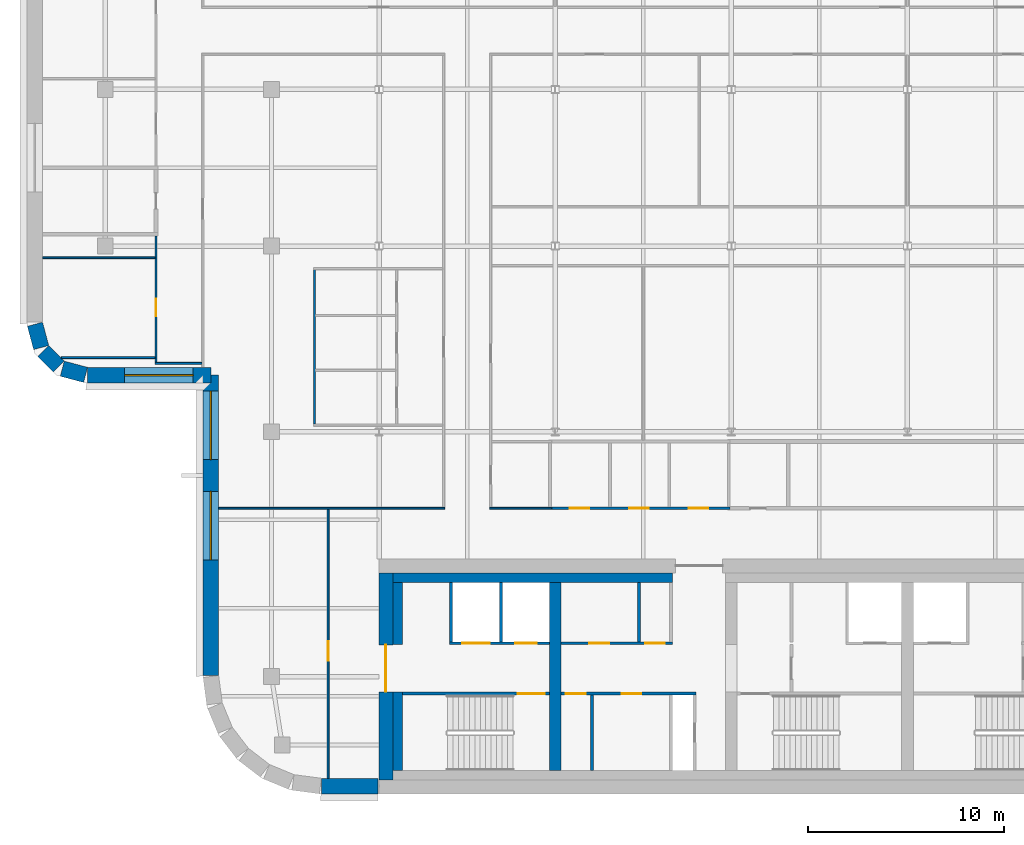
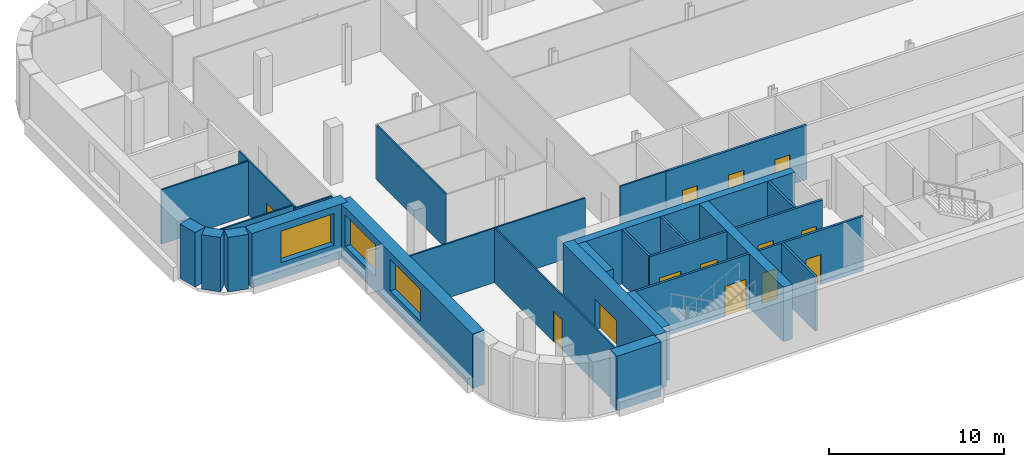
# One storey, part 7 of 16: 28 walls, 13 doors, 3 windows, 16 openings.
"""IFC4 building model written with IfcOpenShell, lengths in metres."""

from ifc_helpers import new_model, si_unit, direction, frame, frame_2d, origin, place, context, subcontext, project, spatial, rectangle, extrude, material, layer, layer_set, type_object, element, fill, save


model = new_model("IFC4")

# Units and contexts
model_context = context("Model", 3, precision=1e-05, world=origin(), true_north=direction((0.0, 1.0)))
body_context = subcontext(model_context, "Body", "Model", "MODEL_VIEW")
ifc_project = project(units=[si_unit("LENGTHUNIT", "METRE"), si_unit("AREAUNIT", "SQUARE_METRE"), si_unit("VOLUMEUNIT", "CUBIC_METRE"), si_unit("PLANEANGLEUNIT", "RADIAN"), si_unit("MASSUNIT", "GRAM", prefix="KILO")], contexts=[model_context])

# Site, building, storey
site_placement = place(None, origin())
site = spatial("IfcSite", under=ifc_project, at=site_placement, CompositionType="ELEMENT")
building_placement = place(site_placement, origin())
building = spatial("IfcBuilding", under=site, at=building_placement, Name="Zellij Exchange Tower", CompositionType="ELEMENT")
storey_placement = place(building_placement, frame((0.0, 0.0, 236.5)))
storey = spatial("IfcBuildingStorey", under=building, at=storey_placement, Name="L55", CompositionType="ELEMENT", Elevation=236.5)

# Walls
ifc_material_1 = material(Name="Concrete C50/60", Category="concrete")
ifc_layer_1 = layer(ifc_material_1, 0.60009765625)
ifc_layer_set_1 = layer_set([ifc_layer_1], Name="Concrete C50/60")
wall_type_1 = type_object("IfcWallType", Name="CORE-CW 600 C50/60", PredefinedType="SHEAR", material=ifc_layer_set_1)
wall_1_placement = place(storey_placement, frame((-18.0, -12.800048828125, 0.0), z_axis=(0.0, 0.0, 1.0), x_axis=(0.0, 1.0, 0.0)))
element("IfcWall", 1, at=wall_1_placement, inside=storey, type_object=wall_type_1, Name="Core cross wall x -18 L55", PredefinedType="SHEAR", context=body_context, shape_type="SweptSolid", body=[
    extrude(rectangle(XDim=9.60009765625, YDim=0.60009765625, at=frame_2d((4.800048828125, 0.0))), origin(), (0.0, 0.0, 1.0), 3.800048828125),
])
ifc_material_2 = material(Name="Concrete C30/37", Category="concrete")
ifc_layer_2 = layer(ifc_material_2, 0.5)
ifc_layer_set_2 = layer_set([ifc_layer_2], Name="Concrete C30/37")
wall_type_2 = type_object("IfcWallType", Name="CORE-LW 500 C30/37", PredefinedType="SHEAR", material=ifc_layer_set_2)
wall_2_placement = place(storey_placement, frame((-26.300048828125, -2.949951171875, 0.0), z_axis=(0.0, 0.0, 1.0), x_axis=(1.0, 0.0, 0.0)))
element("IfcWall", 2, at=wall_2_placement, inside=storey, type_object=wall_type_2, Name="Core wall lining front.0 L55", PredefinedType="SHEAR", context=body_context, shape_type="SweptSolid", body=[
    extrude(rectangle(XDim=14.300048828125, YDim=0.5, at=frame_2d((7.14990234375, 0.0))), origin(), (0.0, 0.0, 1.0), 3.800048828125),
])
wall_3_placement = place(storey_placement, frame((-26.050048828125, -12.800048828125, 0.0), z_axis=(0.0, 0.0, 1.0), x_axis=(0.0, 1.0, 0.0)))
element("IfcWall", 3, at=wall_3_placement, inside=storey, type_object=wall_type_2, Name="Core wall lining end w.0 L55", PredefinedType="SHEAR", context=body_context, shape_type="SweptSolid", body=[
    extrude(rectangle(XDim=4.0, YDim=0.5, at=frame_2d((2.0, 0.0))), origin(), (0.0, 0.0, 1.0), 3.800048828125),
])
wall_4_placement = place(storey_placement, frame((-26.050048828125, -6.375, 0.0), z_axis=(0.0, 0.0, 1.0), x_axis=(0.0, 1.0, 0.0)))
element("IfcWall", 4, at=wall_4_placement, inside=storey, type_object=wall_type_2, Name="Core wall lining end w.1 L55", PredefinedType="SHEAR", context=body_context, shape_type="SweptSolid", body=[
    extrude(rectangle(XDim=3.175048828125, YDim=0.5, at=frame_2d((1.58740234375, 0.0))), origin(), (0.0, 0.0, 1.0), 3.800048828125),
])
ifc_material_3 = material(Name="Gypsum board partition")
ifc_layer_3 = layer(ifc_material_3, 0.14990234375)
ifc_layer_set_3 = layer_set([ifc_layer_3], Name="Gypsum board partition")
wall_type_3 = type_object("IfcWallType", Name="CORE-PW 150 Lift lobby wall", PredefinedType="PARTITIONING", material=ifc_layer_set_3)
wall_5_placement = place(storey_placement, frame((-13.72509765625, -6.22509765625, 0.0), z_axis=(0.0, 0.0, 1.0), x_axis=(0.0, 1.0, 0.0)))
element("IfcWall", 5, at=wall_5_placement, inside=storey, type_object=wall_type_3, Name="Lift lobby wall L55", PredefinedType="PARTITIONING", context=body_context, shape_type="SweptSolid", body=[
    extrude(rectangle(XDim=3.025146484375, YDim=0.14990234375, at=frame_2d((1.5126953125, 0.0))), origin(), (0.0, 0.0, 1.0), 3.800048828125),
])
wall_6_placement = place(storey_placement, frame((-16.125, -12.800048828125, 0.0), z_axis=(0.0, 0.0, 1.0), x_axis=(0.0, 1.0, 0.0)))
element("IfcWall", 6, at=wall_6_placement, inside=storey, type_object=wall_type_3, Name="Lift lobby wall L55", PredefinedType="PARTITIONING", context=body_context, shape_type="SweptSolid", body=[
    extrude(rectangle(XDim=3.85009765625, YDim=0.14990234375, at=frame_2d((1.925048828125, 0.0))), origin(), (0.0, 0.0, 1.0), 3.800048828125),
])

# Wall, openings, doors
wall_7_placement = place(storey_placement, frame((-17.699951171875, -6.300048828125, 0.0), z_axis=(0.0, 0.0, 1.0), x_axis=(1.0, 0.0, 0.0)))
wall_7 = element("IfcWall", 7, at=wall_7_placement, inside=storey, type_object=wall_type_3, Name="Lift lobby wall L55", PredefinedType="PARTITIONING", context=body_context, shape_type="SweptSolid", body=[
    extrude(rectangle(XDim=5.699951171875, YDim=0.14990234375, at=frame_2d((2.85009765625, 0.0))), origin(), (0.0, 0.0, 1.0), 3.800048828125),
])
opening_1_placement = place(wall_7_placement, frame((1.449951171875, 0.0, 0.0)))
opening_1 = element("IfcOpeningElement", 8, at=opening_1_placement, cuts=wall_7, Name="Opening CA-29.06", PredefinedType="OPENING", context=body_context, shape_type="SweptSolid", body=[
    extrude(rectangle(XDim=1.0, YDim=2.10009765625, at=frame_2d((0.5, 1.050048828125))), frame((0.0, 0.0869140625, 0.0), z_axis=(0.0, -1.0, 0.0), x_axis=(1.0, 0.0, 0.0)), (0.0, 0.0, 1.0), 0.173828125),
])
opening_2_placement = place(wall_7_placement, frame((4.300048828125, 0.0, 0.0)))
opening_2 = element("IfcOpeningElement", 9, at=opening_2_placement, cuts=wall_7, Name="Opening CA-29.08", PredefinedType="OPENING", context=body_context, shape_type="SweptSolid", body=[
    extrude(rectangle(XDim=1.0, YDim=2.10009765625, at=frame_2d((0.5, 1.050048828125))), frame((0.0, 0.0869140625, 0.0), z_axis=(0.0, -1.0, 0.0), x_axis=(1.0, 0.0, 0.0)), (0.0, 0.0, 1.0), 0.173828125),
])
ifc_material_4 = material(Name="Hollow metal fire door")
door_type_1 = type_object("IfcDoorType", Name="CORE-D CD Core room door 1000x2100 1 HR", OperationType="NOTDEFINED", PredefinedType="DOOR", material=ifc_material_4)
door_1_placement = place(opening_1_placement, origin())
door_1 = element("IfcDoor", 10, at=door_1_placement, inside=storey, type_object=door_type_1, Name="Core room door CA-29.06", OperationType="SINGLE_SWING_LEFT", OverallHeight=2.10009765625, OverallWidth=1.0, PredefinedType="DOOR", context=body_context, shape_type="SweptSolid", body=[
    extrude(rectangle(XDim=1.0, YDim=2.10009765625, at=frame_2d((0.5, 1.050048828125))), frame((0.0, 0.02490234375, 0.0), z_axis=(0.0, -1.0, 0.0), x_axis=(1.0, 0.0, 0.0)), (0.0, 0.0, 1.0), 0.050048828125),
])
fill(opening_1, door_1)
door_2_placement = place(opening_2_placement, origin())
door_2 = element("IfcDoor", 11, at=door_2_placement, inside=storey, type_object=door_type_1, Name="Core room door CA-29.08", OperationType="SINGLE_SWING_RIGHT", OverallHeight=2.10009765625, OverallWidth=1.0, PredefinedType="DOOR", context=body_context, shape_type="SweptSolid", body=[
    extrude(rectangle(XDim=1.0, YDim=2.10009765625, at=frame_2d((0.5, 1.050048828125))), frame((0.0, 0.02490234375, 0.0), z_axis=(0.0, -1.0, 0.0), x_axis=(1.0, 0.0, 0.0)), (0.0, 0.0, 1.0), 0.050048828125),
])
fill(opening_2, door_2)

wall_8_placement = place(storey_placement, frame((-17.699951171875, -8.875, 0.0), z_axis=(0.0, 0.0, 1.0), x_axis=(1.0, 0.0, 0.0)))
wall_8 = element("IfcWall", 12, at=wall_8_placement, inside=storey, type_object=wall_type_3, Name="Lift lobby wall L55", PredefinedType="PARTITIONING", context=body_context, shape_type="SweptSolid", body=[
    extrude(rectangle(XDim=6.89990234375, YDim=0.14990234375, at=frame_2d((3.449951171875, 0.0))), origin(), (0.0, 0.0, 1.0), 3.800048828125),
])
opening_3_placement = place(wall_8_placement, frame((0.25, 0.0, 0.0)))
opening_3 = element("IfcOpeningElement", 13, at=opening_3_placement, cuts=wall_8, Name="Opening CA-29.05", PredefinedType="OPENING", context=body_context, shape_type="SweptSolid", body=[
    extrude(rectangle(XDim=1.0, YDim=2.10009765625, at=frame_2d((0.5, 1.050048828125))), frame((0.0, 0.0869140625, 0.0), z_axis=(0.0, -1.0, 0.0), x_axis=(1.0, 0.0, 0.0)), (0.0, 0.0, 1.0), 0.173828125),
])
opening_4_placement = place(wall_8_placement, frame((3.10009765625, 0.0, 0.0)))
opening_4 = element("IfcOpeningElement", 14, at=opening_4_placement, cuts=wall_8, Name="Opening CA-29.07", PredefinedType="OPENING", context=body_context, shape_type="SweptSolid", body=[
    extrude(rectangle(XDim=1.0, YDim=2.10009765625, at=frame_2d((0.5, 1.050048828125))), frame((0.0, 0.0869140625, 0.0), z_axis=(0.0, -1.0, 0.0), x_axis=(1.0, 0.0, 0.0)), (0.0, 0.0, 1.0), 0.173828125),
])
door_3_placement = place(opening_4_placement, origin())
door_3 = element("IfcDoor", 15, at=door_3_placement, inside=storey, type_object=door_type_1, Name="Core room door CA-29.07", OperationType="SINGLE_SWING_LEFT", OverallHeight=2.10009765625, OverallWidth=1.0, PredefinedType="DOOR", context=body_context, shape_type="SweptSolid", body=[
    extrude(rectangle(XDim=1.0, YDim=2.10009765625, at=frame_2d((0.5, 1.050048828125))), frame((0.0, 0.02490234375, 0.0), z_axis=(0.0, -1.0, 0.0), x_axis=(1.0, 0.0, 0.0)), (0.0, 0.0, 1.0), 0.050048828125),
])
fill(opening_4, door_3)
door_type_2 = type_object("IfcDoorType", Name="CORE-D CDA Core room door 1000x2100 1.5 HR", OperationType="NOTDEFINED", PredefinedType="DOOR", material=ifc_material_4)
door_4_placement = place(opening_3_placement, origin())
door_4 = element("IfcDoor", 16, at=door_4_placement, inside=storey, type_object=door_type_2, Name="Core room door CA-29.05", OperationType="SINGLE_SWING_RIGHT", OverallHeight=2.10009765625, OverallWidth=1.0, PredefinedType="DOOR", context=body_context, shape_type="SweptSolid", body=[
    extrude(rectangle(XDim=1.0, YDim=2.10009765625, at=frame_2d((0.5, 1.050048828125))), frame((0.0, 0.02490234375, 0.0), z_axis=(0.0, -1.0, 0.0), x_axis=(1.0, 0.0, 0.0)), (0.0, 0.0, 1.0), 0.050048828125),
])
fill(opening_3, door_4)

# Walls
ifc_material_5 = material(Name="Gypsum shaft wall system")
ifc_layer_4 = layer(ifc_material_5, 0.14990234375)
ifc_layer_set_4 = layer_set([ifc_layer_4], Name="Gypsum shaft wall system")
wall_type_4 = type_object("IfcWallType", Name="CORE-PW 150 Lift shaft wall", PredefinedType="PARTITIONING", material=ifc_layer_set_4)
for number, where, z_axis, x_axis, name in (
    (17, (-20.77490234375, -6.22509765625, 0.0), (0.0, 0.0, 1.0), (0.0, 1.0, 0.0), "Lift shaft wall L55"),
    (18, (-23.324951171875, -6.22509765625, 0.0), (0.0, 0.0, 1.0), (0.0, 1.0, 0.0), "Lift shaft wall L55"),
):
    element("IfcWall", number, at=place(storey_placement, frame(where, z_axis=z_axis, x_axis=x_axis)), inside=storey, type_object=wall_type_4, Name=name, PredefinedType="PARTITIONING", context=body_context, shape_type="SweptSolid", body=[
        extrude(rectangle(XDim=3.025146484375, YDim=0.14990234375, at=frame_2d((1.5126953125, 0.0))), origin(), (0.0, 0.0, 1.0), 3.800048828125),
    ])

# Wall, openings, doors
wall_9_placement = place(storey_placement, frame((-23.39990234375, -6.300048828125, 0.0), z_axis=(0.0, 0.0, 1.0), x_axis=(1.0, 0.0, 0.0)))
wall_9 = element("IfcWall", 19, at=wall_9_placement, inside=storey, type_object=wall_type_4, Name="Lift shaft wall L55", PredefinedType="PARTITIONING", context=body_context, shape_type="SweptSolid", body=[
    extrude(rectangle(XDim=5.099853515625, YDim=0.14990234375, at=frame_2d((2.5498046875, 0.0))), origin(), (0.0, 0.0, 1.0), 3.800048828125),
])
opening_5_placement = place(wall_9_placement, frame((0.64990234375, 0.0, 0.0)))
opening_5 = element("IfcOpeningElement", 20, at=opening_5_placement, cuts=wall_9, Name="Opening CA-29.02", PredefinedType="OPENING", context=body_context, shape_type="SweptSolid", body=[
    extrude(rectangle(XDim=1.39990234375, YDim=2.10009765625, at=frame_2d((0.699951171875, 1.050048828125))), frame((0.0, 0.0869140625, 0.0), z_axis=(0.0, -1.0, 0.0), x_axis=(1.0, 0.0, 0.0)), (0.0, 0.0, 1.0), 0.173828125),
])
opening_6_placement = place(wall_9_placement, frame((3.35009765625, 0.0, 0.0)))
opening_6 = element("IfcOpeningElement", 21, at=opening_6_placement, cuts=wall_9, Name="Opening CA-29.03", PredefinedType="OPENING", context=body_context, shape_type="SweptSolid", body=[
    extrude(rectangle(XDim=1.10009765625, YDim=2.10009765625, at=frame_2d((0.550048828125, 1.050048828125))), frame((0.0, 0.0869140625, 0.0), z_axis=(0.0, -1.0, 0.0), x_axis=(1.0, 0.0, 0.0)), (0.0, 0.0, 1.0), 0.173828125),
])
door_type_3 = type_object("IfcDoorType", Name="CORE-D LD Lift landing door 1100x2100 1.5 HR", OperationType="NOTDEFINED", PredefinedType="DOOR", material=ifc_material_4)
door_5_placement = place(opening_6_placement, origin())
door_5 = element("IfcDoor", 22, at=door_5_placement, inside=storey, type_object=door_type_3, Name="Lift landing door CA-29.03", OperationType="SLIDING_TO_LEFT", OverallHeight=2.10009765625, OverallWidth=1.10009765625, PredefinedType="DOOR", context=body_context, shape_type="SweptSolid", body=[
    extrude(rectangle(XDim=1.10009765625, YDim=2.10009765625, at=frame_2d((0.550048828125, 1.050048828125))), frame((0.0, 0.02490234375, 0.0), z_axis=(0.0, -1.0, 0.0), x_axis=(1.0, 0.0, 0.0)), (0.0, 0.0, 1.0), 0.050048828125),
])
fill(opening_6, door_5)
door_type_4 = type_object("IfcDoorType", Name="CORE-D LD2 Service lift landing door 1400x2100 1.5 HR", OperationType="NOTDEFINED", PredefinedType="DOOR", material=ifc_material_4)
door_6_placement = place(opening_5_placement, origin())
door_6 = element("IfcDoor", 23, at=door_6_placement, inside=storey, type_object=door_type_4, Name="Service lift landing door CA-29.02", OperationType="SLIDING_TO_RIGHT", OverallHeight=2.10009765625, OverallWidth=1.39990234375, PredefinedType="DOOR", context=body_context, shape_type="SweptSolid", body=[
    extrude(rectangle(XDim=1.39990234375, YDim=2.10009765625, at=frame_2d((0.699951171875, 1.050048828125))), frame((0.0, 0.02490234375, 0.0), z_axis=(0.0, -1.0, 0.0), x_axis=(1.0, 0.0, 0.0)), (0.0, 0.0, 1.0), 0.050048828125),
])
fill(opening_5, door_6)

# Wall, opening, door
ifc_layer_5 = layer(ifc_material_1, 0.699951171875)
ifc_layer_set_5 = layer_set([ifc_layer_5], Name="Concrete C50/60")
wall_type_5 = type_object("IfcWallType", Name="CORE-SW 700 C50/60", PredefinedType="SHEAR", material=ifc_layer_set_5)
wall_10_placement = place(storey_placement, frame((-26.64990234375, -13.300048828125, 0.0), z_axis=(0.0, 0.0, 1.0), x_axis=(0.0, 1.0, 0.0)))
wall_10 = element("IfcWall", 24, at=wall_10_placement, inside=storey, type_object=wall_type_5, Name="Core shear wall end w L55", PredefinedType="SHEAR", context=body_context, shape_type="SweptSolid", body=[
    extrude(rectangle(XDim=10.60009765625, YDim=0.699951171875, at=frame_2d((5.300048828125, 0.0))), origin(), (0.0, 0.0, 1.0), 3.800048828125),
])
opening_7_placement = place(wall_10_placement, frame((4.511962890625, 0.0, 0.0)))
opening_7 = element("IfcOpeningElement", 25, at=opening_7_placement, cuts=wall_10, Name="Opening CA-29.01", PredefinedType="OPENING", context=body_context, shape_type="SweptSolid", body=[
    extrude(rectangle(XDim=2.39990234375, YDim=2.10009765625, at=frame_2d((1.199951171875, 1.050048828125))), frame((0.0, 0.36181640625, 0.0), z_axis=(0.0, -1.0, 0.0), x_axis=(1.0, 0.0, 0.0)), (0.0, 0.0, 1.0), 0.723876953125),
])
door_type_5 = type_object("IfcDoorType", Name="CORE-D CE Core entrance door 2400x2100 20 MIN", OperationType="NOTDEFINED", PredefinedType="DOOR", material=ifc_material_4)
door_7_placement = place(opening_7_placement, origin())
door_7 = element("IfcDoor", 26, at=door_7_placement, inside=storey, type_object=door_type_5, Name="Core entrance door CA-29.01", OperationType="DOUBLE_DOOR_SINGLE_SWING", OverallHeight=2.10009765625, OverallWidth=2.39990234375, PredefinedType="DOOR", context=body_context, shape_type="SweptSolid", body=[
    extrude(rectangle(XDim=2.39990234375, YDim=2.10009765625, at=frame_2d((1.199951171875, 1.050048828125))), frame((0.0, 0.02490234375, 0.0), z_axis=(0.0, -1.0, 0.0), x_axis=(1.0, 0.0, 0.0)), (0.0, 0.0, 1.0), 0.050048828125),
])
fill(opening_7, door_7)

ifc_layer_6 = layer(ifc_material_1, 0.14990234375)
ifc_layer_set_6 = layer_set([ifc_layer_6], Name="Concrete C50/60")
wall_type_6 = type_object("IfcWallType", Name="CORE-SWS 150 C50/60", PredefinedType="SHEAR", material=ifc_layer_set_6)
wall_11_placement = place(storey_placement, frame((-25.800048828125, -8.875, 0.0), z_axis=(0.0, 0.0, 1.0), x_axis=(1.0, 0.0, 0.0)))
wall_11 = element("IfcWall", 27, at=wall_11_placement, inside=storey, type_object=wall_type_6, Name="Stair enclosure wall L55", PredefinedType="SHEAR", context=body_context, shape_type="SweptSolid", body=[
    extrude(rectangle(XDim=7.5, YDim=0.14990234375, at=frame_2d((3.75, 0.0))), origin(), (0.0, 0.0, 1.0), 3.800048828125),
])
opening_8_placement = place(wall_11_placement, frame((5.875, 0.0, 0.0)))
opening_8 = element("IfcOpeningElement", 28, at=opening_8_placement, cuts=wall_11, Name="Opening CA-29.04", PredefinedType="OPENING", context=body_context, shape_type="SweptSolid", body=[
    extrude(rectangle(XDim=1.39990234375, YDim=2.10009765625, at=frame_2d((0.699951171875, 1.050048828125))), frame((0.0, 0.0869140625, 0.0), z_axis=(0.0, -1.0, 0.0), x_axis=(1.0, 0.0, 0.0)), (0.0, 0.0, 1.0), 0.173828125),
])
door_type_6 = type_object("IfcDoorType", Name="CORE-D SD Stair door 1400x2100 1.5 HR", OperationType="NOTDEFINED", PredefinedType="DOOR", material=ifc_material_4)
door_8_placement = place(opening_8_placement, origin())
door_8 = element("IfcDoor", 29, at=door_8_placement, inside=storey, type_object=door_type_6, Name="Stair door CA-29.04", OperationType="DOUBLE_DOOR_SINGLE_SWING", OverallHeight=2.10009765625, OverallWidth=1.39990234375, PredefinedType="DOOR", context=body_context, shape_type="SweptSolid", body=[
    extrude(rectangle(XDim=1.39990234375, YDim=2.10009765625, at=frame_2d((0.699951171875, 1.050048828125))), frame((0.0, 0.02490234375, 0.0), z_axis=(0.0, -1.0, 0.0), x_axis=(1.0, 0.0, 0.0)), (0.0, 0.0, 1.0), 0.050048828125),
])
fill(opening_8, door_8)

# Walls
ifc_material_6 = material(Name="Precast concrete C40/50", Category="concrete")
ifc_layer_7 = layer(ifc_material_6, 0.800048828125)
ifc_layer_set_7 = layer_set([ifc_layer_7], Name="Precast concrete C40/50")
wall_type_7 = type_object("IfcWallType", Name="ENV-EW1 Precast stone-piered wall 800", PredefinedType="SOLIDWALL", material=ifc_layer_set_7)
wall_12_placement = place(storey_placement, frame((-29.947509765625, -13.60009765625, 0.0), z_axis=(0.0, 0.0, 1.0), x_axis=(1.0, 0.0, 0.0)))
element("IfcWall", 30, at=wall_12_placement, inside=storey, type_object=wall_type_7, Name="fac.L55.00a", PredefinedType="SOLIDWALL", context=body_context, shape_type="SweptSolid", body=[
    extrude(rectangle(XDim=2.8974609375, YDim=0.800048828125, at=frame_2d((1.44873046875, 0.0))), origin(), (0.0, 0.0, 1.0), 3.800048828125),
])
wall_13_placement = place(storey_placement, frame((-44.58642578125, 10.001708984375, 0.0), z_axis=(0.0, 0.0, 1.0), x_axis=(0.258943885187, -0.965892366842, 0.0)))
element("IfcWall", 31, at=wall_13_placement, inside=storey, type_object=wall_type_7, Name="fac.L55.22", PredefinedType="SOLIDWALL", context=body_context, shape_type="SweptSolid", body=[
    extrude(rectangle(XDim=1.233154296875, YDim=0.800048828125, at=frame_2d((0.61669921875, 0.0))), origin(), (0.0, 0.0, 1.0), 3.800048828125),
])
wall_14_placement = place(storey_placement, frame((-44.163818359375, 8.63134765625, 0.0), z_axis=(0.0, 0.0, 1.0), x_axis=(0.707106781187, -0.707106781187, 0.0)))
element("IfcWall", 32, at=wall_14_placement, inside=storey, type_object=wall_type_7, Name="fac.L55.23", PredefinedType="SOLIDWALL", context=body_context, shape_type="SweptSolid", body=[
    extrude(rectangle(XDim=1.12451171875, YDim=0.800048828125, at=frame_2d((0.562255859375, 0.0))), origin(), (0.0, 0.0, 1.0), 3.800048828125),
])
wall_15_placement = place(storey_placement, frame((-43.189453125, 7.73291015625, 0.0), z_axis=(0.0, 0.0, 1.0), x_axis=(0.965892366842, -0.258943885187, 0.0)))
element("IfcWall", 33, at=wall_15_placement, inside=storey, type_object=wall_type_7, Name="fac.L55.24", PredefinedType="SOLIDWALL", context=body_context, shape_type="SweptSolid", body=[
    extrude(rectangle(XDim=1.233154296875, YDim=0.800048828125, at=frame_2d((0.61669921875, 0.0))), origin(), (0.0, 0.0, 1.0), 3.800048828125),
])

# Wall, opening, window
wall_16_placement = place(storey_placement, frame((-41.89453125, 7.39990234375, 0.0), z_axis=(0.0, 0.0, 1.0), x_axis=(1.0, 0.0, 0.0)))
wall_16 = element("IfcWall", 34, at=wall_16_placement, inside=storey, type_object=wall_type_7, Name="fac.L55.25", PredefinedType="SOLIDWALL", context=body_context, shape_type="SweptSolid", body=[
    extrude(rectangle(XDim=6.29443359375, YDim=0.800048828125, at=frame_2d((3.147216796875, 0.0))), origin(), (0.0, 0.0, 1.0), 3.800048828125),
])
opening_9_placement = place(wall_16_placement, frame((1.89453125, 0.0, 1.10009765625)))
opening_9 = element("IfcOpeningElement", 35, at=opening_9_placement, cuts=wall_16, Name="Opening FZ4.21", PredefinedType="OPENING", context=body_context, shape_type="SweptSolid", body=[
    extrude(rectangle(XDim=3.5, YDim=2.199951171875, at=frame_2d((1.75, 1.10009765625))), frame((0.0, 0.412109375, 0.0), z_axis=(0.0, -1.0, 0.0), x_axis=(1.0, 0.0, 0.0)), (0.0, 0.0, 1.0), 0.823974609375),
])
ifc_material_7 = material(Name="Aluminium frame with insulating glass", Category="aluminium")
window_type = type_object("IfcWindowType", Name="ENV-W7 Window 3500x2200", PartitioningType="SINGLE_PANEL", PredefinedType="WINDOW", material=ifc_material_7)
window_1_placement = place(opening_9_placement, origin())
window_1 = element("IfcWindow", 36, at=window_1_placement, inside=storey, type_object=window_type, Name="Window FZ4.21", OverallHeight=2.199951171875, OverallWidth=3.5, PartitioningType="SINGLE_PANEL", PredefinedType="WINDOW", context=body_context, shape_type="SweptSolid", body=[
    extrude(rectangle(XDim=3.5, YDim=2.199951171875, at=frame_2d((1.75, 1.10009765625))), frame((0.0, 0.030029296875, 0.0), z_axis=(0.0, -1.0, 0.0), x_axis=(1.0, 0.0, 0.0)), (0.0, 0.0, 1.0), 0.06005859375),
])
fill(opening_9, window_1)

# Wall, openings, windows
wall_17_placement = place(storey_placement, frame((-35.60009765625, 7.39990234375, 0.0), z_axis=(0.0, 0.0, 1.0), x_axis=(0.0, -1.0, 0.0)))
wall_17 = element("IfcWall", 37, at=wall_17_placement, inside=storey, type_object=wall_type_7, Name="fac.L55.26", PredefinedType="SOLIDWALL", context=body_context, shape_type="SweptSolid", body=[
    extrude(rectangle(XDim=15.347412109375, YDim=0.800048828125, at=frame_2d((7.673828125, 0.0))), origin(), (0.0, 0.0, 1.0), 3.800048828125),
])
opening_10_placement = place(wall_17_placement, frame((0.812255859375, 0.0, 1.10009765625)))
opening_10 = element("IfcOpeningElement", 38, at=opening_10_placement, cuts=wall_17, Name="Opening FZ4.22", PredefinedType="OPENING", context=body_context, shape_type="SweptSolid", body=[
    extrude(rectangle(XDim=3.5, YDim=2.199951171875, at=frame_2d((1.75, 1.10009765625))), frame((0.0, 0.412109375, 0.0), z_axis=(0.0, -1.0, 0.0), x_axis=(1.0, 0.0, 0.0)), (0.0, 0.0, 1.0), 0.823974609375),
])
opening_11_placement = place(wall_17_placement, frame((5.93701171875, 0.0, 1.10009765625)))
opening_11 = element("IfcOpeningElement", 39, at=opening_11_placement, cuts=wall_17, Name="Opening FZ4.23", PredefinedType="OPENING", context=body_context, shape_type="SweptSolid", body=[
    extrude(rectangle(XDim=3.5, YDim=2.199951171875, at=frame_2d((1.75, 1.10009765625))), frame((0.0, 0.412109375, 0.0), z_axis=(0.0, -1.0, 0.0), x_axis=(1.0, 0.0, 0.0)), (0.0, 0.0, 1.0), 0.823974609375),
])
window_2_placement = place(opening_10_placement, origin())
window_2 = element("IfcWindow", 40, at=window_2_placement, inside=storey, type_object=window_type, Name="Window FZ4.22", OverallHeight=2.199951171875, OverallWidth=3.5, PartitioningType="SINGLE_PANEL", PredefinedType="WINDOW", context=body_context, shape_type="SweptSolid", body=[
    extrude(rectangle(XDim=3.5, YDim=2.199951171875, at=frame_2d((1.75, 1.10009765625))), frame((0.0, 0.030029296875, 0.0), z_axis=(0.0, -1.0, 0.0), x_axis=(1.0, 0.0, 0.0)), (0.0, 0.0, 1.0), 0.06005859375),
])
fill(opening_10, window_2)
window_3_placement = place(opening_11_placement, origin())
window_3 = element("IfcWindow", 41, at=window_3_placement, inside=storey, type_object=window_type, Name="Window FZ4.23", OverallHeight=2.199951171875, OverallWidth=3.5, PartitioningType="SINGLE_PANEL", PredefinedType="WINDOW", context=body_context, shape_type="SweptSolid", body=[
    extrude(rectangle(XDim=3.5, YDim=2.199951171875, at=frame_2d((1.75, 1.10009765625))), frame((0.0, 0.030029296875, 0.0), z_axis=(0.0, -1.0, 0.0), x_axis=(1.0, 0.0, 0.0)), (0.0, 0.0, 1.0), 0.06005859375),
])
fill(opening_11, window_3)

# Wall, opening, door
ifc_material_8 = material(Name="Gypsum board partition on steel studs", Category="steel")
ifc_layer_8 = layer(ifc_material_8, 0.10009765625)
ifc_layer_set_8 = layer_set([ifc_layer_8], Name="Gypsum board partition on steel studs")
wall_type_8 = type_object("IfcWallType", Name="FIT-PARTITION-100", PredefinedType="PARTITIONING", material=ifc_layer_set_8)
wall_18_placement = place(storey_placement, frame((-29.60009765625, -13.199951171875, 0.0), z_axis=(0.0, 0.0, 1.0), x_axis=(0.0, 1.0, 0.0)))
wall_18 = element("IfcWall", 42, at=wall_18_placement, inside=storey, type_object=wall_type_8, Name="FIT-PARTITION-100 001", PredefinedType="PARTITIONING", context=body_context, shape_type="SweptSolid", body=[
    extrude(rectangle(XDim=13.75, YDim=0.10009765625, at=frame_2d((6.875, 0.0))), origin(), (0.0, 0.0, 1.0), 3.800048828125),
])
opening_12_placement = place(wall_18_placement, frame((6.0, 0.0, 0.0)))
opening_12 = element("IfcOpeningElement", 43, at=opening_12_placement, cuts=wall_18, Name="Opening O4C.01", PredefinedType="OPENING", context=body_context, shape_type="SweptSolid", body=[
    extrude(rectangle(XDim=1.0, YDim=2.10009765625, at=frame_2d((0.5, 1.050048828125))), frame((0.0, 0.06201171875, 0.0), z_axis=(0.0, -1.0, 0.0), x_axis=(1.0, 0.0, 0.0)), (0.0, 0.0, 1.0), 0.1240234375),
])
ifc_material_9 = material(Name="Timber door set", Category="wood")
door_type_7 = type_object("IfcDoorType", Name="FIT-D2-WIDE-1000X2100", OperationType="SINGLE_SWING_LEFT", PredefinedType="DOOR", material=ifc_material_9)
door_9_placement = place(opening_12_placement, origin())
door_9 = element("IfcDoor", 44, at=door_9_placement, inside=storey, type_object=door_type_7, Name="Door O4C.01", OperationType="SINGLE_SWING_RIGHT", OverallHeight=2.10009765625, OverallWidth=1.0, PredefinedType="DOOR", context=body_context, shape_type="SweptSolid", body=[
    extrude(rectangle(XDim=1.0, YDim=2.10009765625, at=frame_2d((0.5, 1.050048828125))), frame((0.0, 0.02490234375, 0.0), z_axis=(0.0, -1.0, 0.0), x_axis=(1.0, 0.0, 0.0)), (0.0, 0.0, 1.0), 0.050048828125),
])
fill(opening_12, door_9)

# Walls
wall_19_placement = place(storey_placement, frame((-35.199951171875, 0.60009765625, 0.0), z_axis=(0.0, 0.0, 1.0), x_axis=(1.0, 0.0, 0.0)))
element("IfcWall", 45, at=wall_19_placement, inside=storey, type_object=wall_type_8, Name="FIT-PARTITION-100 004", PredefinedType="PARTITIONING", context=body_context, shape_type="SweptSolid", body=[
    extrude(rectangle(XDim=11.550048828125, YDim=0.10009765625, at=frame_2d((5.77490234375, 0.0))), origin(), (0.0, 0.0, 1.0), 3.800048828125),
])
wall_20_placement = place(storey_placement, frame((-21.35009765625, 0.60009765625, 0.0), z_axis=(0.0, 0.0, 1.0), x_axis=(1.0, 0.0, 0.0)))
element("IfcWall", 46, at=wall_20_placement, inside=storey, type_object=wall_type_8, Name="FIT-PARTITION-100 006", PredefinedType="PARTITIONING", context=body_context, shape_type="SweptSolid", body=[
    extrude(rectangle(XDim=3.1650390625, YDim=0.10009765625, at=frame_2d((1.58251953125, 0.0))), origin(), (0.0, 0.0, 1.0), 3.800048828125),
])
wall_21_placement = place(storey_placement, frame((-30.300048828125, 4.89990234375, 0.0), z_axis=(0.0, 0.0, 1.0), x_axis=(0.0, 1.0, 0.0)))
element("IfcWall", 47, at=wall_21_placement, inside=storey, type_object=wall_type_8, Name="FIT-PARTITION-100 024", PredefinedType="PARTITIONING", context=body_context, shape_type="SweptSolid", body=[
    extrude(rectangle(XDim=7.900146484375, YDim=0.10009765625, at=frame_2d((3.9501953125, 0.0))), origin(), (0.0, 0.0, 1.0), 3.800048828125),
])
wall_22_placement = place(storey_placement, frame((-38.449951171875, 8.0, 0.0), z_axis=(0.0, 0.0, 1.0), x_axis=(1.0, 0.0, 0.0)))
element("IfcWall", 48, at=wall_22_placement, inside=storey, type_object=wall_type_8, Name="FIT-PARTITION-100 028", PredefinedType="PARTITIONING", context=body_context, shape_type="SweptSolid", body=[
    extrude(rectangle(XDim=2.39990234375, YDim=0.10009765625, at=frame_2d((1.199951171875, 0.0))), origin(), (0.0, 0.0, 1.0), 3.800048828125),
])

# Wall, opening, door
wall_23_placement = place(storey_placement, frame((-38.39990234375, 8.050048828125, 0.0), z_axis=(0.0, 0.0, 1.0), x_axis=(0.0, 1.0, 0.0)))
wall_23 = element("IfcWall", 49, at=wall_23_placement, inside=storey, type_object=wall_type_8, Name="FIT-PARTITION-100 029", PredefinedType="PARTITIONING", context=body_context, shape_type="SweptSolid", body=[
    extrude(rectangle(XDim=6.449951171875, YDim=0.10009765625, at=frame_2d((3.22509765625, 0.0))), origin(), (0.0, 0.0, 1.0), 3.800048828125),
])
opening_13_placement = place(wall_23_placement, frame((2.35009765625, 0.0, 0.0)))
opening_13 = element("IfcOpeningElement", 50, at=opening_13_placement, cuts=wall_23, Name="Opening O4C.15", PredefinedType="OPENING", context=body_context, shape_type="SweptSolid", body=[
    extrude(rectangle(XDim=0.89990234375, YDim=2.10009765625, at=frame_2d((0.449951171875, 1.050048828125))), frame((0.0, 0.06201171875, 0.0), z_axis=(0.0, -1.0, 0.0), x_axis=(1.0, 0.0, 0.0)), (0.0, 0.0, 1.0), 0.1240234375),
])
door_type_8 = type_object("IfcDoorType", Name="FIT-D1-ROOM-900X2100", OperationType="SINGLE_SWING_LEFT", PredefinedType="DOOR", material=ifc_material_9)
door_10_placement = place(opening_13_placement, origin())
door_10 = element("IfcDoor", 51, at=door_10_placement, inside=storey, type_object=door_type_8, Name="Door O4C.15", OperationType="SINGLE_SWING_RIGHT", OverallHeight=2.10009765625, OverallWidth=0.89990234375, PredefinedType="DOOR", context=body_context, shape_type="SweptSolid", body=[
    extrude(rectangle(XDim=0.89990234375, YDim=2.10009765625, at=frame_2d((0.449951171875, 1.050048828125))), frame((0.0, 0.02490234375, 0.0), z_axis=(0.0, -1.0, 0.0), x_axis=(1.0, 0.0, 0.0)), (0.0, 0.0, 1.0), 0.050048828125),
])
fill(opening_13, door_10)

# Walls
wall_24_placement = place(storey_placement, frame((-43.22998046875, 8.300048828125, 0.0), z_axis=(0.0, 0.0, 1.0), x_axis=(1.0, 0.0, 0.0)))
element("IfcWall", 52, at=wall_24_placement, inside=storey, type_object=wall_type_8, Name="FIT-PARTITION-100 030", PredefinedType="PARTITIONING", context=body_context, shape_type="SweptSolid", body=[
    extrude(rectangle(XDim=4.780029296875, YDim=0.10009765625, at=frame_2d((2.39013671875, 0.0))), origin(), (0.0, 0.0, 1.0), 3.800048828125),
])
wall_25_placement = place(storey_placement, frame((-44.199951171875, 13.39990234375, 0.0), z_axis=(0.0, 0.0, 1.0), x_axis=(1.0, 0.0, 0.0)))
element("IfcWall", 53, at=wall_25_placement, inside=storey, type_object=wall_type_8, Name="FIT-PARTITION-100 034", PredefinedType="PARTITIONING", context=body_context, shape_type="SweptSolid", body=[
    extrude(rectangle(XDim=5.75, YDim=0.10009765625, at=frame_2d((2.875, 0.0))), origin(), (0.0, 0.0, 1.0), 3.800048828125),
])

# Wall, openings, doors
ifc_material_10 = material(Name="Gypsum board shaft-wall partition", Category="gypsum")
ifc_layer_9 = layer(ifc_material_10, 0.14990234375)
ifc_layer_set_9 = layer_set([ifc_layer_9], Name="Gypsum board shaft-wall partition")
wall_type_9 = type_object("IfcWallType", Name="FIT-PARTITION-150-EI60", PredefinedType="PARTITIONING", material=ifc_layer_set_9)
wall_26_placement = place(storey_placement, frame((-18.3349609375, 0.60009765625, 0.0), z_axis=(0.0, 0.0, 1.0), x_axis=(1.0, 0.0, 0.0)))
wall_26 = element("IfcWall", 54, at=wall_26_placement, inside=storey, type_object=wall_type_9, Name="FIT-PARTITION-150-EI60 008", PredefinedType="PARTITIONING", context=body_context, shape_type="SweptSolid", body=[
    extrude(rectangle(XDim=9.280029296875, YDim=0.14990234375, at=frame_2d((4.64013671875, 0.0))), origin(), (0.0, 0.0, 1.0), 3.800048828125),
])
opening_14_placement = place(wall_26_placement, frame((1.077880859375, 0.0, 0.0)))
opening_14 = element("IfcOpeningElement", 55, at=opening_14_placement, cuts=wall_26, Name="Opening O4C.03", PredefinedType="OPENING", context=body_context, shape_type="SweptSolid", body=[
    extrude(rectangle(XDim=1.0, YDim=2.10009765625, at=frame_2d((0.5, 1.050048828125))), frame((0.0, 0.0869140625, 0.0), z_axis=(0.0, -1.0, 0.0), x_axis=(1.0, 0.0, 0.0)), (0.0, 0.0, 1.0), 0.173828125),
])
opening_15_placement = place(wall_26_placement, frame((4.12109375, 0.0, 0.0)))
opening_15 = element("IfcOpeningElement", 56, at=opening_15_placement, cuts=wall_26, Name="Opening O4C.04", PredefinedType="OPENING", context=body_context, shape_type="SweptSolid", body=[
    extrude(rectangle(XDim=1.0, YDim=2.10009765625, at=frame_2d((0.5, 1.050048828125))), frame((0.0, 0.0869140625, 0.0), z_axis=(0.0, -1.0, 0.0), x_axis=(1.0, 0.0, 0.0)), (0.0, 0.0, 1.0), 0.173828125),
])
opening_16_placement = place(wall_26_placement, frame((7.1640625, 0.0, 0.0)))
opening_16 = element("IfcOpeningElement", 57, at=opening_16_placement, cuts=wall_26, Name="Opening O4C.05", PredefinedType="OPENING", context=body_context, shape_type="SweptSolid", body=[
    extrude(rectangle(XDim=1.0, YDim=2.10009765625, at=frame_2d((0.5, 1.050048828125))), frame((0.0, 0.0869140625, 0.0), z_axis=(0.0, -1.0, 0.0), x_axis=(1.0, 0.0, 0.0)), (0.0, 0.0, 1.0), 0.173828125),
])
ifc_material_11 = material(Name="Steel fire door set", Category="steel")
door_type_9 = type_object("IfcDoorType", Name="FIT-D4-FIRE-1000X2100", OperationType="SINGLE_SWING_LEFT", PredefinedType="DOOR", material=ifc_material_11)
door_11_placement = place(opening_14_placement, origin())
door_11 = element("IfcDoor", 58, at=door_11_placement, inside=storey, type_object=door_type_9, Name="Door O4C.03", OperationType="SINGLE_SWING_LEFT", OverallHeight=2.10009765625, OverallWidth=1.0, PredefinedType="DOOR", context=body_context, shape_type="SweptSolid", body=[
    extrude(rectangle(XDim=1.0, YDim=2.10009765625, at=frame_2d((0.5, 1.050048828125))), frame((0.0, 0.02490234375, 0.0), z_axis=(0.0, -1.0, 0.0), x_axis=(1.0, 0.0, 0.0)), (0.0, 0.0, 1.0), 0.050048828125),
])
fill(opening_14, door_11)
door_12_placement = place(opening_15_placement, origin())
door_12 = element("IfcDoor", 59, at=door_12_placement, inside=storey, type_object=door_type_9, Name="Door O4C.04", OperationType="SINGLE_SWING_LEFT", OverallHeight=2.10009765625, OverallWidth=1.0, PredefinedType="DOOR", context=body_context, shape_type="SweptSolid", body=[
    extrude(rectangle(XDim=1.0, YDim=2.10009765625, at=frame_2d((0.5, 1.050048828125))), frame((0.0, 0.02490234375, 0.0), z_axis=(0.0, -1.0, 0.0), x_axis=(1.0, 0.0, 0.0)), (0.0, 0.0, 1.0), 0.050048828125),
])
fill(opening_15, door_12)
door_13_placement = place(opening_16_placement, origin())
door_13 = element("IfcDoor", 60, at=door_13_placement, inside=storey, type_object=door_type_9, Name="Door O4C.05", OperationType="SINGLE_SWING_LEFT", OverallHeight=2.10009765625, OverallWidth=1.0, PredefinedType="DOOR", context=body_context, shape_type="SweptSolid", body=[
    extrude(rectangle(XDim=1.0, YDim=2.10009765625, at=frame_2d((0.5, 1.050048828125))), frame((0.0, 0.02490234375, 0.0), z_axis=(0.0, -1.0, 0.0), x_axis=(1.0, 0.0, 0.0)), (0.0, 0.0, 1.0), 0.050048828125),
])
fill(opening_16, door_13)

save(model, "model.ifc")
